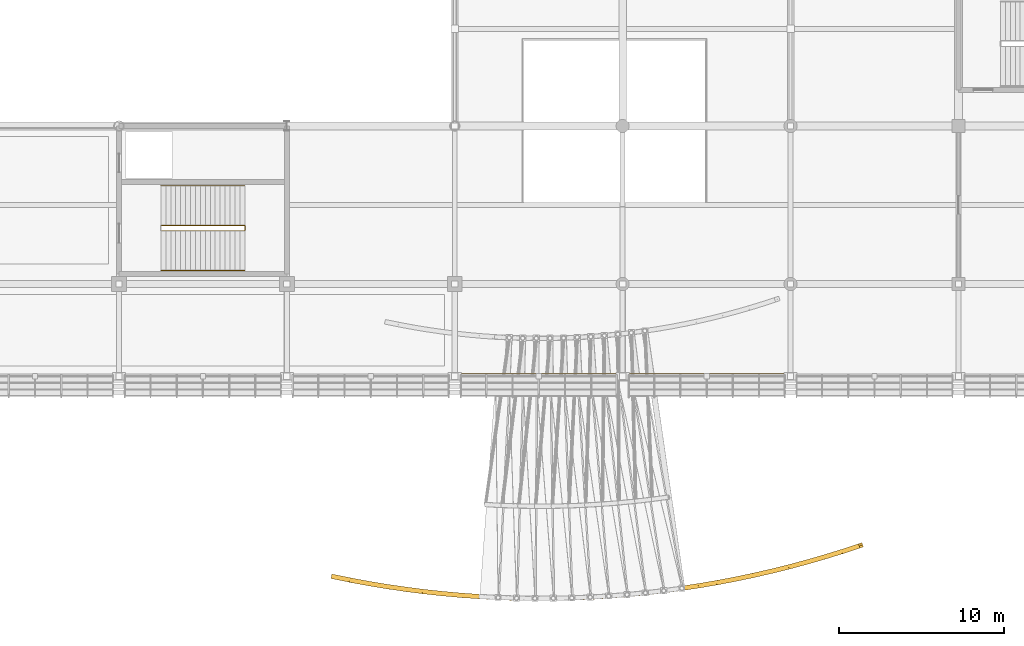
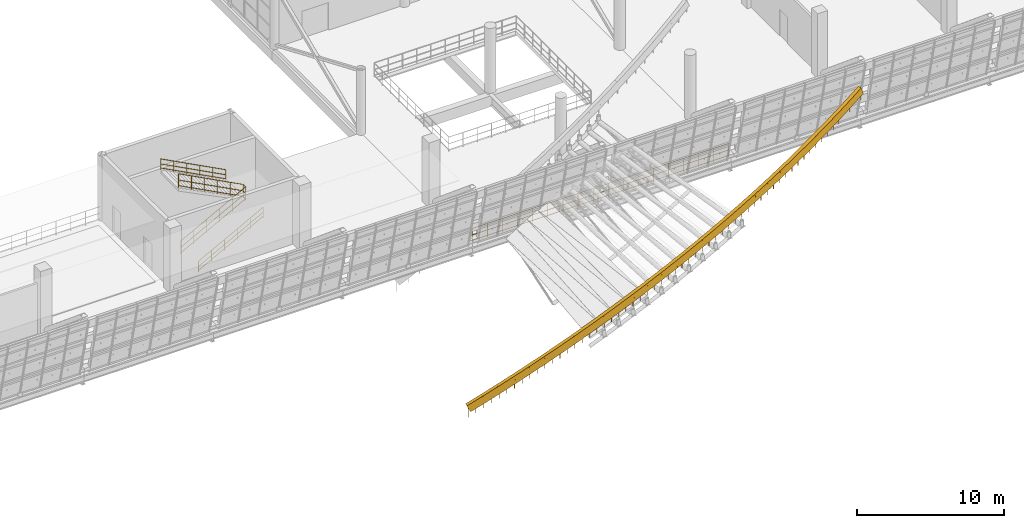
# One storey, part 165 of 175: 5 railings.
"""IFC4 building model written with IfcOpenShell, lengths in metres."""

from ifc_helpers import new_model, si_unit, direction, frame, origin, origin_2d, place, context, subcontext, project, spatial, rectangle, circle, extrude, material, type_object, element, save


model = new_model("IFC4")

# Units and contexts
model_context = context("Model", 3, precision=1e-05, world=origin(), true_north=direction((0.0, 1.0)))
body_context = subcontext(model_context, "Body", "Model", "MODEL_VIEW")
ifc_project = project(units=[si_unit("LENGTHUNIT", "METRE"), si_unit("AREAUNIT", "SQUARE_METRE"), si_unit("VOLUMEUNIT", "CUBIC_METRE"), si_unit("PLANEANGLEUNIT", "RADIAN"), si_unit("MASSUNIT", "GRAM", prefix="KILO")], contexts=[model_context])

# Site, building, storey
site_placement = place(None, origin())
site = spatial("IfcSite", under=ifc_project, at=site_placement, CompositionType="ELEMENT")
building_placement = place(site_placement, origin())
building = spatial("IfcBuilding", under=site, at=building_placement, Name="Brelvane Convention Centre", CompositionType="ELEMENT")
storey_placement = place(building_placement, frame((0.0, 0.0, 5.39990234375)))
storey = spatial("IfcBuildingStorey", under=building, at=storey_placement, Name="L01", CompositionType="ELEMENT", Elevation=5.39990234375)

# Railings
ifc_material_1 = material(Name="Steel E350 (350 MPa)", Category="steel")
railing_type_1 = type_object("IfcRailingType", Name="Railing BL-CU-1", PredefinedType="BALUSTRADE", material=ifc_material_1)
railing_1_placement = place(storey_placement, frame((167.47705078125, 3.326904296875, 9.5771484375)))
element("IfcRailing", 1, at=railing_1_placement, inside=storey, type_object=railing_type_1, Name="Canopy Curved Copper-Bronze Edge Band (OUT)", PredefinedType="BALUSTRADE", context=body_context, shape_type="SweptSolid", body=[
    extrude(rectangle(XDim=0.280029296875, YDim=0.6201171875, at=origin_2d()), frame((0.0, 0.0, 0.81005859375), z_axis=(-0.887814354388, -0.293831071353, -0.354187766094), x_axis=(0.314199248332, -0.949357062621, 0.0)), (0.0, 0.0, 1.0), 1.197265625),
    extrude(rectangle(XDim=0.280029296875, YDim=0.6201171875, at=origin_2d()), frame((-1.06298828125, -0.351806640625, 0.385986328125), z_axis=(-0.892402765037, -0.276089014235, -0.356920384921), x_axis=(0.295555857655, -0.955325460252, 0.0)), (0.0, 0.0, 1.0), 1.198974609375),
    extrude(rectangle(XDim=0.280029296875, YDim=0.6201171875, at=origin_2d()), frame((-2.133056640625, -0.682861328125, -0.0419921875), z_axis=(-0.896140992003, -0.259874787334, -0.359717135206), x_axis=(0.27851841944, -0.960430887692, 0.0)), (0.0, 0.0, 1.0), 1.20068359375),
    extrude(rectangle(XDim=0.280029296875, YDim=0.6201171875, at=origin_2d()), frame((-3.208984375, -0.994873046875, -0.473876953125), z_axis=(-0.899344485452, -0.242912376829, -0.363556149268), x_axis=(0.260755263075, -0.965404937204, 0.0)), (0.0, 0.0, 1.0), 1.2021484375),
    extrude(rectangle(XDim=0.280029296875, YDim=0.6201171875, at=origin_2d()), frame((-4.2900390625, -1.286865234375, -0.910888671875), z_axis=(-0.902537251756, -0.225026134198, -0.367137233362), x_axis=(0.241920198949, -0.970296149297, 0.0)), (0.0, 0.0, 1.0), 1.204345703125),
    extrude(rectangle(XDim=0.280029296875, YDim=0.6201171875, at=origin_2d()), frame((-5.376953125, -1.557861328125, -1.35302734375), z_axis=(-0.905341082477, -0.208254784692, -0.370118182521), x_axis=(0.224174617454, -0.974548993581, 0.0)), (0.0, 0.0, 1.0), 1.205078125),
    extrude(rectangle(XDim=0.280029296875, YDim=0.6201171875, at=origin_2d()), frame((-6.468017578125, -1.808837890625, -1.799072265625), z_axis=(-0.907801494278, -0.192318828483, -0.372706204935), x_axis=(0.207251417962, -0.978287713177, 0.0)), (0.0, 0.0, 1.0), 1.207275390625),
    extrude(rectangle(XDim=0.280029296875, YDim=0.6201171875, at=origin_2d()), frame((-7.56396484375, -2.041015625, -2.2490234375), z_axis=(-0.910012793555, -0.173681980128, -0.376445594138), x_axis=(0.187472711459, -0.982269811436, 0.0)), (0.0, 0.0, 1.0), 1.208984375),
    extrude(rectangle(XDim=0.280029296875, YDim=0.6201171875, at=origin_2d()), frame((-8.6640625, -2.2509765625, -2.7041015625), z_axis=(-0.911547870064, -0.157636097831, -0.379778015745), x_axis=(0.170403098388, -0.985374438505, 0.0)), (0.0, 0.0, 1.0), 1.211181640625),
    extrude(rectangle(XDim=0.280029296875, YDim=0.6201171875, at=origin_2d()), frame((-9.76806640625, -2.44189453125, -3.1640625), z_axis=(-0.913570231025, -0.139433303897, -0.382031133221), x_axis=(0.150877440115, -0.988552476131, 0.0)), (0.0, 0.0, 1.0), 1.211669921875),
    extrude(rectangle(XDim=0.280029296875, YDim=0.6201171875, at=origin_2d()), frame((-10.875, -2.61083984375, -3.626953125), z_axis=(-0.914098198096, -0.123635450149, -0.386184877621), x_axis=(0.134033588193, -0.990976789454, 0.0)), (0.0, 0.0, 1.0), 1.21435546875),
    extrude(rectangle(XDim=0.280029296875, YDim=0.6201171875, at=origin_2d()), frame((-11.985107421875, -2.760986328125, -4.095947265625), z_axis=(-0.915194325625, -0.105190135255, -0.389042904817), x_axis=(0.11418572848, -0.993459420113, 0.0)), (0.0, 0.0, 1.0), 1.216064453125),
    extrude(rectangle(XDim=0.280029296875, YDim=0.6201171875, at=origin_2d()), frame((-13.09814453125, -2.888916015625, -4.569091796875), z_axis=(-0.915838239746, -0.088635975907, -0.391642671825), x_axis=(0.096331160072, -0.995349339478, 0.0)), (0.0, 0.0, 1.0), 1.217529296875),
    extrude(rectangle(XDim=0.280029296875, YDim=0.6201171875, at=origin_2d()), frame((-14.213134765625, -2.996826171875, -5.0458984375), z_axis=(-0.915627385364, -0.071511480327, -0.395616732902), x_axis=(0.07786395661, -0.996963993463, 0.0)), (0.0, 0.0, 1.0), 1.21875),
    extrude(rectangle(XDim=0.280029296875, YDim=0.6201171875, at=origin_2d()), frame((-15.3291015625, -3.083984375, -5.528076171875), z_axis=(-0.915464031422, -0.05477989618, -0.39865369702), x_axis=(0.059731549832, -0.998214476931, 0.0)), (0.0, 0.0, 1.0), 1.22119140625),
    extrude(rectangle(XDim=0.280029296875, YDim=0.6201171875, at=origin_2d()), frame((-16.447021484375, -3.15087890625, -6.014892578125), z_axis=(-0.915157792312, -0.03769939467, -0.401329005696), x_axis=(0.041159511591, -0.999152588249, 0.0)), (0.0, 0.0, 1.0), 1.223876953125),
    extrude(rectangle(XDim=0.280029296875, YDim=0.6201171875, at=origin_2d()), frame((-17.567138671875, -3.197021484375, -6.506103515625), z_axis=(-0.914353050032, -0.020349991513, -0.404406203887), x_axis=(0.022250653983, -0.999752423552, 0.0)), (0.0, 0.0, 1.0), 1.2236328125),
    extrude(rectangle(XDim=0.280029296875, YDim=0.6201171875, at=origin_2d()), frame((-18.68603515625, -3.221923828125, -7.0009765625), z_axis=(-0.913149127535, -0.003184478213, -0.407613211245), x_axis=(0.00348733712, -0.999993919221, 0.0)), (0.0, 0.0, 1.0), 1.2265625),
    extrude(rectangle(XDim=0.280029296875, YDim=0.6201171875, at=origin_2d()), frame((-19.80615234375, -3.225830078125, -7.5009765625), z_axis=(-0.911856531504, 0.012921446381, -0.410305620454), x_axis=(-0.014169059276, -0.999899613841, 0.0)), (0.0, 0.0, 1.0), 1.22802734375),
    extrude(rectangle(XDim=0.280029296875, YDim=0.6201171875, at=origin_2d()), frame((-20.926025390625, -3.2099609375, -8.0048828125), z_axis=(-0.909964581443, 0.030940382455, -0.413530111663), x_axis=(-0.033982105682, -0.99942244146, 0.0)), (0.0, 0.0, 1.0), 1.23095703125),
    extrude(rectangle(XDim=0.280029296875, YDim=0.6201171875, at=origin_2d()), frame((-22.046142578125, -3.171875, -8.513916015625), z_axis=(-0.90751328716, 0.046971096103, -0.417388727399), x_axis=(-0.051688837637, -0.998663238566, 0.0)), (0.0, 0.0, 1.0), 1.23193359375),
    extrude(rectangle(XDim=0.280029296875, YDim=0.6201171875, at=origin_2d()), frame((-23.1640625, -3.114013671875, -9.028076171875), z_axis=(-0.905565502496, 0.063284769775, -0.419459364663), x_axis=(-0.069714226066, -0.997567003606, 0.0)), (0.0, 0.0, 1.0), 1.234619140625),
    extrude(rectangle(XDim=0.280029296875, YDim=0.6201171875, at=origin_2d()), frame((-24.281982421875, -3.035888671875, -9.5458984375), z_axis=(-0.902691994153, 0.081038694461, -0.422587143311), x_axis=(-0.089414874505, -0.995994467965, 0.0)), (0.0, 0.0, 1.0), 1.235107421875),
    extrude(rectangle(XDim=0.280029296875, YDim=0.6201171875, at=origin_2d()), frame((-25.39697265625, -2.935791015625, -10.06787109375), z_axis=(-0.899677513141, 0.096809480375, -0.425685678473), x_axis=(-0.106987040076, -0.994260415211, 0.0)), (0.0, 0.0, 1.0), 1.23828125),
    extrude(rectangle(XDim=0.280029296875, YDim=0.6201171875, at=origin_2d()), frame((-26.510986328125, -2.81591796875, -10.594970703125), z_axis=(-0.896388884317, 0.113845918509, -0.428399433836), x_axis=(-0.125992967661, -0.992031134642, 0.0)), (0.0, 0.0, 1.0), 1.239501953125),
    extrude(rectangle(XDim=0.280029296875, YDim=0.6201171875, at=origin_2d()), frame((-27.6220703125, -2.6748046875, -11.1259765625), z_axis=(-0.892550984576, 0.129614609704, -0.431917576494), x_axis=(-0.14371075475, -0.989619734529, 0.0)), (0.0, 0.0, 1.0), 1.2412109375),
    extrude(rectangle(XDim=0.280029296875, YDim=0.6201171875, at=origin_2d()), frame((-28.72998046875, -2.513916015625, -11.662109375), z_axis=(-0.888685713274, 0.146348684791, -0.434533963555), x_axis=(-0.162491311467, -0.986709974459, 0.0)), (0.0, 0.0, 1.0), 1.244384765625),
    extrude(rectangle(XDim=0.280029296875, YDim=0.6201171875, at=origin_2d()), frame((-29.8359375, -2.331787109375, -12.202880859375), z_axis=(-0.8843083197, 0.162155871484, -0.43784046073), x_axis=(-0.180363035598, -0.983600109491, 0.0)), (0.0, 0.0, 1.0), 1.2451171875),
    extrude(rectangle(XDim=0.280029296875, YDim=0.6201171875, at=origin_2d()), frame((-30.93701171875, -2.1298828125, -12.748046875), z_axis=(-0.880117260427, 0.17864541102, -0.439862961636), x_axis=(-0.198922605562, -0.980015202431, 0.0)), (0.0, 0.0, 1.0), 1.247802734375),
    extrude(circle(Radius=0.02099609375, at=origin_2d()), origin(), (0.0, 0.0, 1.0), 1.072021484375),
    extrude(circle(Radius=0.02099609375, at=origin_2d()), frame((-1.06298828125, -0.351806640625, -0.424072265625)), (0.0, 0.0, 1.0), 1.072021484375),
    extrude(circle(Radius=0.02099609375, at=origin_2d()), frame((-2.133056640625, -0.682861328125, -0.85205078125)), (0.0, 0.0, 1.0), 1.072021484375),
    extrude(circle(Radius=0.02099609375, at=origin_2d()), frame((-2.6708984375, -0.8388671875, -1.06787109375)), (0.0, 0.0, 1.0), 1.072021484375),
    extrude(circle(Radius=0.02099609375, at=origin_2d()), frame((-3.208984375, -0.994873046875, -1.283935546875)), (0.0, 0.0, 1.0), 1.072021484375),
    extrude(circle(Radius=0.02099609375, at=origin_2d()), frame((-3.74951171875, -1.140869140625, -1.50244140625)), (0.0, 0.0, 1.0), 1.072021484375),
    extrude(circle(Radius=0.02099609375, at=origin_2d()), frame((-4.2900390625, -1.286865234375, -1.720947265625)), (0.0, 0.0, 1.0), 1.072021484375),
    extrude(circle(Radius=0.02099609375, at=origin_2d()), frame((-4.83349609375, -1.42236328125, -1.94189453125)), (0.0, 0.0, 1.0), 1.072021484375),
    extrude(circle(Radius=0.02099609375, at=origin_2d()), frame((-5.376953125, -1.557861328125, -2.1630859375)), (0.0, 0.0, 1.0), 1.072021484375),
    extrude(circle(Radius=0.02099609375, at=origin_2d()), frame((-5.92236328125, -1.683349609375, -2.38623046875)), (0.0, 0.0, 1.0), 1.072021484375),
    extrude(circle(Radius=0.02099609375, at=origin_2d()), frame((-6.468017578125, -1.808837890625, -2.609130859375)), (0.0, 0.0, 1.0), 1.072021484375),
    extrude(circle(Radius=0.02099609375, at=origin_2d()), frame((-7.01611328125, -1.9248046875, -2.833984375)), (0.0, 0.0, 1.0), 1.072021484375),
    extrude(circle(Radius=0.02099609375, at=origin_2d()), frame((-7.56396484375, -2.041015625, -3.05908203125)), (0.0, 0.0, 1.0), 1.072021484375),
    extrude(circle(Radius=0.02099609375, at=origin_2d()), frame((-8.114013671875, -2.14599609375, -3.28662109375)), (0.0, 0.0, 1.0), 1.072021484375),
    extrude(circle(Radius=0.02099609375, at=origin_2d()), frame((-8.6640625, -2.2509765625, -3.51416015625)), (0.0, 0.0, 1.0), 1.072021484375),
    extrude(circle(Radius=0.02099609375, at=origin_2d()), frame((-9.216064453125, -2.346435546875, -3.744140625)), (0.0, 0.0, 1.0), 1.072021484375),
    extrude(circle(Radius=0.02099609375, at=origin_2d()), frame((-9.76806640625, -2.44189453125, -3.97412109375)), (0.0, 0.0, 1.0), 1.072021484375),
    extrude(circle(Radius=0.02099609375, at=origin_2d()), frame((-10.321533203125, -2.5263671875, -4.20556640625)), (0.0, 0.0, 1.0), 1.072021484375),
    extrude(circle(Radius=0.02099609375, at=origin_2d()), frame((-10.875, -2.61083984375, -4.43701171875)), (0.0, 0.0, 1.0), 1.072021484375),
    extrude(circle(Radius=0.02099609375, at=origin_2d()), frame((-11.43017578125, -2.68603515625, -4.67138671875)), (0.0, 0.0, 1.0), 1.072021484375),
    extrude(circle(Radius=0.02099609375, at=origin_2d()), frame((-11.985107421875, -2.760986328125, -4.906005859375)), (0.0, 0.0, 1.0), 1.072021484375),
    extrude(circle(Radius=0.02099609375, at=origin_2d()), frame((-12.54150390625, -2.824951171875, -5.142578125)), (0.0, 0.0, 1.0), 1.072021484375),
    extrude(circle(Radius=0.02099609375, at=origin_2d()), frame((-13.09814453125, -2.888916015625, -5.379150390625)), (0.0, 0.0, 1.0), 1.072021484375),
    extrude(circle(Radius=0.02099609375, at=origin_2d()), frame((-13.65576171875, -2.94287109375, -5.61767578125)), (0.0, 0.0, 1.0), 1.072021484375),
    extrude(circle(Radius=0.02099609375, at=origin_2d()), frame((-14.213134765625, -2.996826171875, -5.85595703125)), (0.0, 0.0, 1.0), 1.072021484375),
    extrude(circle(Radius=0.02099609375, at=origin_2d()), frame((-14.77099609375, -3.04052734375, -6.09716796875)), (0.0, 0.0, 1.0), 1.072021484375),
    extrude(circle(Radius=0.02099609375, at=origin_2d()), frame((-15.3291015625, -3.083984375, -6.338134765625)), (0.0, 0.0, 1.0), 1.072021484375),
    extrude(circle(Radius=0.02099609375, at=origin_2d()), frame((-15.88818359375, -3.117431640625, -6.58154296875)), (0.0, 0.0, 1.0), 1.072021484375),
    extrude(circle(Radius=0.02099609375, at=origin_2d()), frame((-16.447021484375, -3.15087890625, -6.824951171875)), (0.0, 0.0, 1.0), 1.072021484375),
    extrude(circle(Radius=0.02099609375, at=origin_2d()), frame((-17.007080078125, -3.173828125, -7.070556640625)), (0.0, 0.0, 1.0), 1.072021484375),
    extrude(circle(Radius=0.02099609375, at=origin_2d()), frame((-17.567138671875, -3.197021484375, -7.316162109375)), (0.0, 0.0, 1.0), 1.072021484375),
    extrude(circle(Radius=0.02099609375, at=origin_2d()), frame((-18.12646484375, -3.20947265625, -7.5634765625)), (0.0, 0.0, 1.0), 1.072021484375),
    extrude(circle(Radius=0.02099609375, at=origin_2d()), frame((-18.68603515625, -3.221923828125, -7.81103515625)), (0.0, 0.0, 1.0), 1.072021484375),
    extrude(circle(Radius=0.02099609375, at=origin_2d()), frame((-19.24609375, -3.223876953125, -8.06103515625)), (0.0, 0.0, 1.0), 1.072021484375),
    extrude(circle(Radius=0.02099609375, at=origin_2d()), frame((-19.80615234375, -3.225830078125, -8.31103515625)), (0.0, 0.0, 1.0), 1.072021484375),
    extrude(circle(Radius=0.02099609375, at=origin_2d()), frame((-20.3662109375, -3.2177734375, -8.56298828125)), (0.0, 0.0, 1.0), 1.072021484375),
    extrude(circle(Radius=0.02099609375, at=origin_2d()), frame((-20.926025390625, -3.2099609375, -8.81494140625)), (0.0, 0.0, 1.0), 1.072021484375),
    extrude(circle(Radius=0.02099609375, at=origin_2d()), frame((-21.486083984375, -3.19091796875, -9.0693359375)), (0.0, 0.0, 1.0), 1.072021484375),
    extrude(circle(Radius=0.02099609375, at=origin_2d()), frame((-22.046142578125, -3.171875, -9.323974609375)), (0.0, 0.0, 1.0), 1.072021484375),
    extrude(circle(Radius=0.02099609375, at=origin_2d()), frame((-22.60498046875, -3.14306640625, -9.5810546875)), (0.0, 0.0, 1.0), 1.072021484375),
    extrude(circle(Radius=0.02099609375, at=origin_2d()), frame((-23.1640625, -3.114013671875, -9.838134765625)), (0.0, 0.0, 1.0), 1.072021484375),
    extrude(circle(Radius=0.02099609375, at=origin_2d()), frame((-23.72314453125, -3.074951171875, -10.09716796875)), (0.0, 0.0, 1.0), 1.072021484375),
    extrude(circle(Radius=0.02099609375, at=origin_2d()), frame((-24.281982421875, -3.035888671875, -10.35595703125)), (0.0, 0.0, 1.0), 1.072021484375),
    extrude(circle(Radius=0.02099609375, at=origin_2d()), frame((-24.83935546875, -2.98583984375, -10.616943359375)), (0.0, 0.0, 1.0), 1.072021484375),
    extrude(circle(Radius=0.02099609375, at=origin_2d()), frame((-25.39697265625, -2.935791015625, -10.8779296875)), (0.0, 0.0, 1.0), 1.072021484375),
    extrude(circle(Radius=0.02099609375, at=origin_2d()), frame((-25.9541015625, -2.8759765625, -11.1416015625)), (0.0, 0.0, 1.0), 1.072021484375),
    extrude(circle(Radius=0.02099609375, at=origin_2d()), frame((-26.510986328125, -2.81591796875, -11.405029296875)), (0.0, 0.0, 1.0), 1.072021484375),
    extrude(circle(Radius=0.02099609375, at=origin_2d()), frame((-27.06640625, -2.745361328125, -11.67041015625)), (0.0, 0.0, 1.0), 1.072021484375),
    extrude(circle(Radius=0.02099609375, at=origin_2d()), frame((-27.6220703125, -2.6748046875, -11.93603515625)), (0.0, 0.0, 1.0), 1.072021484375),
    extrude(circle(Radius=0.02099609375, at=origin_2d()), frame((-28.176025390625, -2.59423828125, -12.2041015625)), (0.0, 0.0, 1.0), 1.072021484375),
    extrude(circle(Radius=0.02099609375, at=origin_2d()), frame((-28.72998046875, -2.513916015625, -12.47216796875)), (0.0, 0.0, 1.0), 1.072021484375),
    extrude(circle(Radius=0.02099609375, at=origin_2d()), frame((-29.282958984375, -2.4228515625, -12.74267578125)), (0.0, 0.0, 1.0), 1.072021484375),
    extrude(circle(Radius=0.02099609375, at=origin_2d()), frame((-29.8359375, -2.331787109375, -13.012939453125)), (0.0, 0.0, 1.0), 1.072021484375),
    extrude(circle(Radius=0.02099609375, at=origin_2d()), frame((-30.386474609375, -2.23095703125, -13.28564453125)), (0.0, 0.0, 1.0), 1.072021484375),
    extrude(circle(Radius=0.02099609375, at=origin_2d()), frame((-30.93701171875, -2.1298828125, -13.55810546875)), (0.0, 0.0, 1.0), 1.072021484375),
    extrude(circle(Radius=0.02099609375, at=origin_2d()), frame((-31.486083984375, -2.0185546875, -13.83251953125)), (0.0, 0.0, 1.0), 1.072021484375),
    extrude(circle(Radius=0.02099609375, at=origin_2d()), frame((-32.03515625, -1.906982421875, -14.10693359375)), (0.0, 0.0, 1.0), 1.072021484375),
])
ifc_material_2 = material(Name="Steel E350 (350 MPa)", Category="steel")
railing_type_2 = type_object("IfcRailingType", Name="Railing GR-EXT-1", PredefinedType="GUARDRAIL", material=ifc_material_2)
railing_2_placement = place(storey_placement, frame((142.89990234375, 13.75, 0.0)))
element("IfcRailing", 2, at=railing_2_placement, inside=storey, type_object=railing_type_2, Name="Railing GR-EXT-1 L01-pubdeck_s", PredefinedType="GUARDRAIL", context=body_context, shape_type="SweptSolid", body=[
    extrude(circle(Radius=0.02392578125, at=origin_2d()), frame((0.0, 0.0, 1.1259765625), z_axis=(1.0, 0.0, 0.0), x_axis=(0.0, 1.0, 0.0)), (0.0, 0.0, 1.0), 20.2001953125),
    extrude(circle(Radius=0.02392578125, at=origin_2d()), frame((0.0, 0.0, 0.597900390625), z_axis=(1.0, 0.0, 0.0), x_axis=(0.0, 1.0, 0.0)), (0.0, 0.0, 1.0), 20.2001953125),
    extrude(circle(Radius=0.02392578125, at=origin_2d()), frame((0.0, 0.0, 0.139892578125), z_axis=(1.0, 0.0, 0.0), x_axis=(0.0, 1.0, 0.0)), (0.0, 0.0, 1.0), 20.2001953125),
    extrude(circle(Radius=0.02099609375, at=origin_2d()), origin(), (0.0, 0.0, 1.0), 1.101806640625),
    extrude(circle(Radius=0.02099609375, at=origin_2d()), frame((1.188232421875, 0.0, 0.0)), (0.0, 0.0, 1.0), 1.101806640625),
    extrude(circle(Radius=0.02099609375, at=origin_2d()), frame((2.37646484375, 0.0, 0.0)), (0.0, 0.0, 1.0), 1.101806640625),
    extrude(circle(Radius=0.02099609375, at=origin_2d()), frame((3.564697265625, 0.0, 0.0)), (0.0, 0.0, 1.0), 1.101806640625),
    extrude(circle(Radius=0.02099609375, at=origin_2d()), frame((4.7529296875, 0.0, 0.0)), (0.0, 0.0, 1.0), 1.101806640625),
    extrude(circle(Radius=0.02099609375, at=origin_2d()), frame((5.941162109375, 0.0, 0.0)), (0.0, 0.0, 1.0), 1.101806640625),
    extrude(circle(Radius=0.02099609375, at=origin_2d()), frame((7.12939453125, 0.0, 0.0)), (0.0, 0.0, 1.0), 1.101806640625),
    extrude(circle(Radius=0.02099609375, at=origin_2d()), frame((8.317626953125, 0.0, 0.0)), (0.0, 0.0, 1.0), 1.101806640625),
    extrude(circle(Radius=0.02099609375, at=origin_2d()), frame((9.505859375, 0.0, 0.0)), (0.0, 0.0, 1.0), 1.101806640625),
    extrude(circle(Radius=0.02099609375, at=origin_2d()), frame((10.6943359375, 0.0, 0.0)), (0.0, 0.0, 1.0), 1.101806640625),
    extrude(circle(Radius=0.02099609375, at=origin_2d()), frame((11.882568359375, 0.0, 0.0)), (0.0, 0.0, 1.0), 1.101806640625),
    extrude(circle(Radius=0.02099609375, at=origin_2d()), frame((13.07080078125, 0.0, 0.0)), (0.0, 0.0, 1.0), 1.101806640625),
    extrude(circle(Radius=0.02099609375, at=origin_2d()), frame((14.259033203125, 0.0, 0.0)), (0.0, 0.0, 1.0), 1.101806640625),
    extrude(circle(Radius=0.02099609375, at=origin_2d()), frame((15.447265625, 0.0, 0.0)), (0.0, 0.0, 1.0), 1.101806640625),
    extrude(circle(Radius=0.02099609375, at=origin_2d()), frame((16.635498046875, 0.0, 0.0)), (0.0, 0.0, 1.0), 1.101806640625),
    extrude(circle(Radius=0.02099609375, at=origin_2d()), frame((17.82373046875, 0.0, 0.0)), (0.0, 0.0, 1.0), 1.101806640625),
    extrude(circle(Radius=0.02099609375, at=origin_2d()), frame((19.011962890625, 0.0, 0.0)), (0.0, 0.0, 1.0), 1.101806640625),
    extrude(circle(Radius=0.02099609375, at=origin_2d()), frame((20.2001953125, 0.0, 0.0)), (0.0, 0.0, 1.0), 1.101806640625),
])
ifc_material_3 = material(Name="Steel E350 (350 MPa)", Category="steel")
railing_type_3 = type_object("IfcRailingType", Name="Stair Railing GR-ST-1", PredefinedType="GUARDRAIL", material=ifc_material_3)
railing_3_placement = place(storey_placement, frame((124.949951171875, 22.43994140625, -0.02001953125)))
element("IfcRailing", 3, at=railing_3_placement, inside=storey, type_object=railing_type_3, Name="Stair ST-02 L01 Inner Well Guard", PredefinedType="GUARDRAIL", context=body_context, shape_type="SweptSolid", body=[
    extrude(circle(Radius=0.02392578125, at=origin_2d()), frame((0.0, 0.0, 1.1259765625), z_axis=(0.882341248864, 0.0, 0.470610157724), x_axis=(0.0, 1.0, 0.0)), (0.0, 0.0, 1.0), 5.7802734375),
    extrude(circle(Radius=0.02392578125, at=origin_2d()), frame((0.0, 0.0, 0.597900390625), z_axis=(0.882341248864, 0.0, 0.470610157724), x_axis=(0.0, 1.0, 0.0)), (0.0, 0.0, 1.0), 5.7802734375),
    extrude(circle(Radius=0.02392578125, at=origin_2d()), frame((0.0, 0.0, 0.139892578125), z_axis=(0.882341248864, 0.0, 0.470610157724), x_axis=(0.0, 1.0, 0.0)), (0.0, 0.0, 1.0), 5.7802734375),
    extrude(circle(Radius=0.02392578125, at=origin_2d()), frame((5.10009765625, 0.0, 3.84619140625), z_axis=(0.0, 1.0, 0.0), x_axis=(-1.0, 0.0, 0.0)), (0.0, 0.0, 1.0), 0.320068359375),
    extrude(circle(Radius=0.02392578125, at=origin_2d()), frame((5.10009765625, 0.0, 3.318115234375), z_axis=(0.0, 1.0, 0.0), x_axis=(-1.0, 0.0, 0.0)), (0.0, 0.0, 1.0), 0.320068359375),
    extrude(circle(Radius=0.02392578125, at=origin_2d()), frame((5.10009765625, 0.0, 2.860107421875), z_axis=(0.0, 1.0, 0.0), x_axis=(-1.0, 0.0, 0.0)), (0.0, 0.0, 1.0), 0.320068359375),
    extrude(circle(Radius=0.02392578125, at=origin_2d()), frame((5.10009765625, 0.320068359375, 3.84619140625), z_axis=(-0.885227801088, 0.0, 0.465157758379), x_axis=(0.0, -1.0, 0.0)), (0.0, 0.0, 1.0), 5.76123046875),
    extrude(circle(Radius=0.02392578125, at=origin_2d()), frame((5.10009765625, 0.320068359375, 3.318115234375), z_axis=(-0.885227801088, 0.0, 0.465157758379), x_axis=(0.0, -1.0, 0.0)), (0.0, 0.0, 1.0), 5.76123046875),
    extrude(circle(Radius=0.02392578125, at=origin_2d()), frame((5.10009765625, 0.320068359375, 2.860107421875), z_axis=(-0.885227801088, 0.0, 0.465157758379), x_axis=(0.0, -1.0, 0.0)), (0.0, 0.0, 1.0), 5.76123046875),
    extrude(circle(Radius=0.02099609375, at=origin_2d()), origin(), (0.0, 0.0, 1.0), 1.101806640625),
    extrude(circle(Radius=0.02099609375, at=origin_2d()), frame((1.02001953125, 0.0, 0.5439453125)), (0.0, 0.0, 1.0), 1.101806640625),
    extrude(circle(Radius=0.02099609375, at=origin_2d()), frame((2.0400390625, 0.0, 1.088134765625)), (0.0, 0.0, 1.0), 1.101806640625),
    extrude(circle(Radius=0.02099609375, at=origin_2d()), frame((3.06005859375, 0.0, 1.632080078125)), (0.0, 0.0, 1.0), 1.101806640625),
    extrude(circle(Radius=0.02099609375, at=origin_2d()), frame((4.080078125, 0.0, 2.17626953125)), (0.0, 0.0, 1.0), 1.101806640625),
    extrude(circle(Radius=0.02099609375, at=origin_2d()), frame((5.10009765625, 0.0, 2.72021484375)), (0.0, 0.0, 1.0), 1.101806640625),
    extrude(circle(Radius=0.02099609375, at=origin_2d()), frame((5.10009765625, 0.320068359375, 2.72021484375)), (0.0, 0.0, 1.0), 1.101806640625),
    extrude(circle(Radius=0.02099609375, at=origin_2d()), frame((4.080078125, 0.320068359375, 3.256103515625)), (0.0, 0.0, 1.0), 1.101806640625),
    extrude(circle(Radius=0.02099609375, at=origin_2d()), frame((3.06005859375, 0.320068359375, 3.792236328125)), (0.0, 0.0, 1.0), 1.101806640625),
    extrude(circle(Radius=0.02099609375, at=origin_2d()), frame((2.0400390625, 0.320068359375, 4.328125)), (0.0, 0.0, 1.0), 1.101806640625),
    extrude(circle(Radius=0.02099609375, at=origin_2d()), frame((1.02001953125, 0.320068359375, 4.8642578125)), (0.0, 0.0, 1.0), 1.101806640625),
    extrude(circle(Radius=0.02099609375, at=origin_2d()), frame((0.0, 0.320068359375, 5.400146484375)), (0.0, 0.0, 1.0), 1.101806640625),
])
ifc_material_4 = material(Name="Steel E350 (350 MPa)", Category="steel")
railing_type_4 = type_object("IfcRailingType", Name="Stair Railing HR-ST-1", PredefinedType="HANDRAIL", material=ifc_material_4)
railing_4_placement = place(storey_placement, frame((124.949951171875, 20.030029296875, -0.02001953125)))
element("IfcRailing", 4, at=railing_4_placement, inside=storey, type_object=railing_type_4, Name="Stair ST-02 L01 Outer Handrail F1", PredefinedType="HANDRAIL", context=body_context, shape_type="SweptSolid", body=[
    extrude(circle(Radius=0.02392578125, at=origin_2d()), frame((0.0, 0.0, 0.89599609375), z_axis=(0.882341248864, 0.0, 0.470610157724), x_axis=(0.0, 1.0, 0.0)), (0.0, 0.0, 1.0), 5.7802734375),
    extrude(circle(Radius=0.02392578125, at=origin_2d()), frame((0.0, 0.0, 0.478271484375), z_axis=(0.882341248864, 0.0, 0.470610157724), x_axis=(0.0, 1.0, 0.0)), (0.0, 0.0, 1.0), 5.7802734375),
    extrude(circle(Radius=0.02392578125, at=origin_2d()), frame((0.0, 0.0, 0.139892578125), z_axis=(0.882341248864, 0.0, 0.470610157724), x_axis=(0.0, 1.0, 0.0)), (0.0, 0.0, 1.0), 5.7802734375),
    extrude(circle(Radius=0.02099609375, at=origin_2d()), origin(), (0.0, 0.0, 1.0), 0.871826171875),
    extrude(circle(Radius=0.02099609375, at=origin_2d()), frame((1.02001953125, 0.0, 0.5439453125)), (0.0, 0.0, 1.0), 0.871826171875),
    extrude(circle(Radius=0.02099609375, at=origin_2d()), frame((2.0400390625, 0.0, 1.088134765625)), (0.0, 0.0, 1.0), 0.871826171875),
    extrude(circle(Radius=0.02099609375, at=origin_2d()), frame((3.06005859375, 0.0, 1.632080078125)), (0.0, 0.0, 1.0), 0.871826171875),
    extrude(circle(Radius=0.02099609375, at=origin_2d()), frame((4.080078125, 0.0, 2.17626953125)), (0.0, 0.0, 1.0), 0.871826171875),
    extrude(circle(Radius=0.02099609375, at=origin_2d()), frame((5.10009765625, 0.0, 2.72021484375)), (0.0, 0.0, 1.0), 0.871826171875),
])
railing_5_placement = place(storey_placement, frame((130.050048828125, 25.169921875, 2.7001953125)))
element("IfcRailing", 5, at=railing_5_placement, inside=storey, type_object=railing_type_4, Name="Stair ST-02 L01 Outer Handrail F2", PredefinedType="HANDRAIL", context=body_context, shape_type="SweptSolid", body=[
    extrude(circle(Radius=0.02392578125, at=origin_2d()), frame((0.0, 0.0, 0.89599609375), z_axis=(-0.885227801088, 0.0, 0.465157758379), x_axis=(0.0, -1.0, 0.0)), (0.0, 0.0, 1.0), 5.76123046875),
    extrude(circle(Radius=0.02392578125, at=origin_2d()), frame((0.0, 0.0, 0.478271484375), z_axis=(-0.885227801088, 0.0, 0.465157758379), x_axis=(0.0, -1.0, 0.0)), (0.0, 0.0, 1.0), 5.76123046875),
    extrude(circle(Radius=0.02392578125, at=origin_2d()), frame((0.0, 0.0, 0.139892578125), z_axis=(-0.885227801088, 0.0, 0.465157758379), x_axis=(0.0, -1.0, 0.0)), (0.0, 0.0, 1.0), 5.76123046875),
    extrude(circle(Radius=0.02099609375, at=origin_2d()), origin(), (0.0, 0.0, 1.0), 0.871826171875),
    extrude(circle(Radius=0.02099609375, at=origin_2d()), frame((-1.02001953125, 0.0, 0.535888671875)), (0.0, 0.0, 1.0), 0.871826171875),
    extrude(circle(Radius=0.02099609375, at=origin_2d()), frame((-2.0400390625, 0.0, 1.072021484375)), (0.0, 0.0, 1.0), 0.871826171875),
    extrude(circle(Radius=0.02099609375, at=origin_2d()), frame((-3.06005859375, 0.0, 1.60791015625)), (0.0, 0.0, 1.0), 0.871826171875),
    extrude(circle(Radius=0.02099609375, at=origin_2d()), frame((-4.080078125, 0.0, 2.14404296875)), (0.0, 0.0, 1.0), 0.871826171875),
    extrude(circle(Radius=0.02099609375, at=origin_2d()), frame((-5.10009765625, 0.0, 2.679931640625)), (0.0, 0.0, 1.0), 0.871826171875),
])

save(model, "model.ifc")
